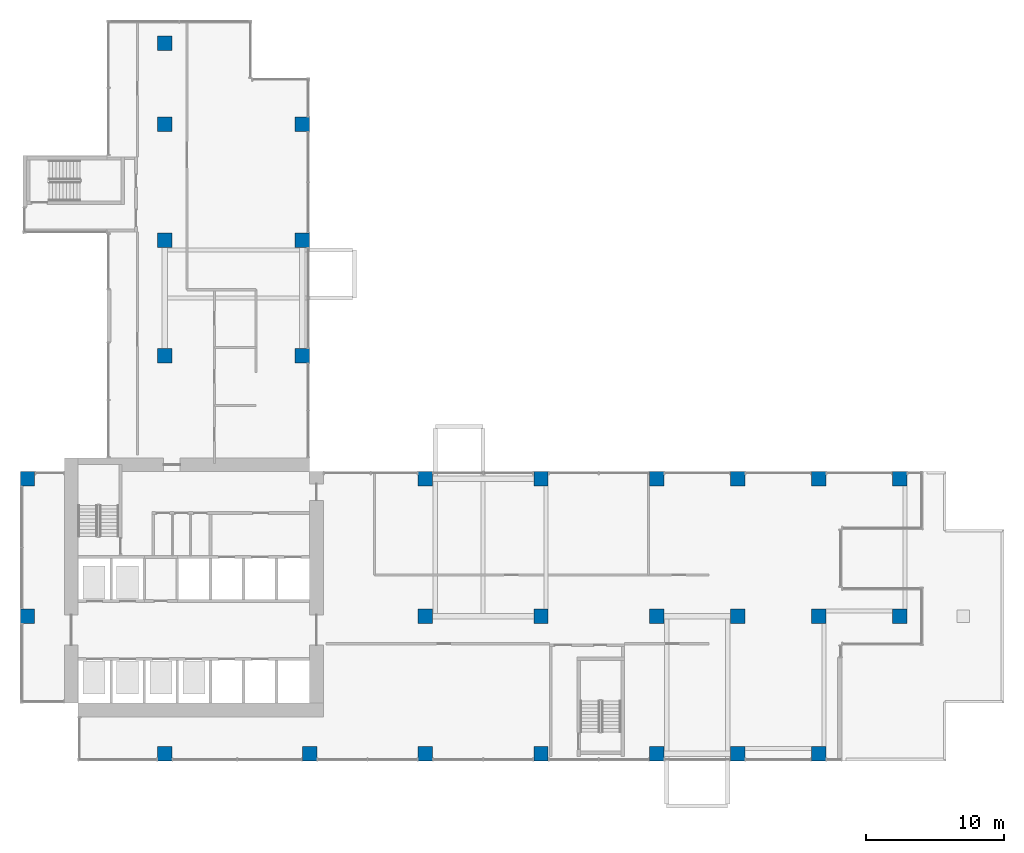
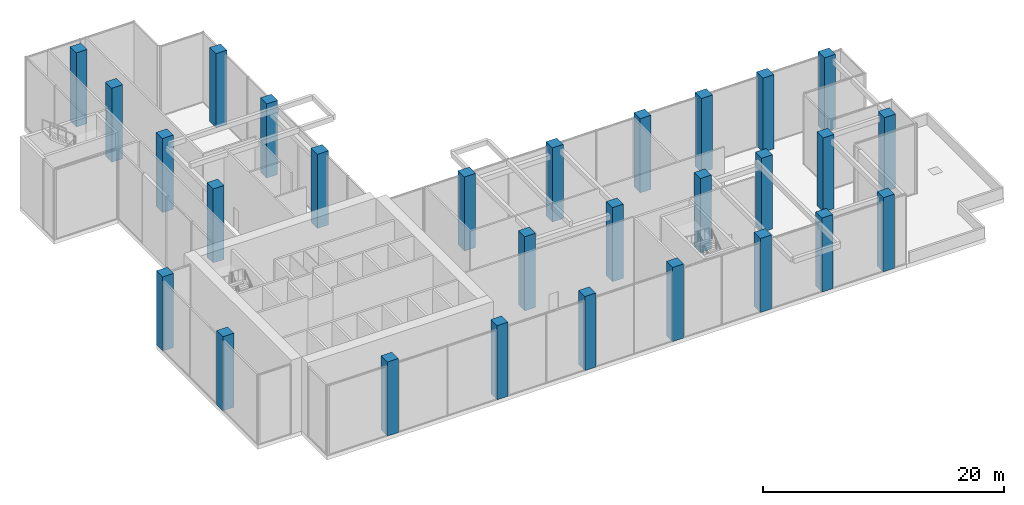
# One storey, part 1 of 18: 28 columns.
"""IFC4 building model written with IfcOpenShell, lengths in metres."""

import ifcopenshell
import ifcopenshell.guid

model = None  # the IFC model being written
_history = None  # IfcOwnerHistory: only IFC2X3 demands one
_inside = {}  # id of a spatial element -> (the spatial element, [elements in it])
_under = {}  # id of a project, library or spatial element -> (it, [spatial elements below it])
_declared = {}  # id of a project -> (the project, [libraries it declares])
_typed = {}  # id of a type object -> (the type object, [elements of that type])
_made_of = {}  # id of a material, layer set ... -> (it, [elements and type objects made of it])


def new_model(schema):
    """Start an empty IFC model of exactly this schema.

    Asked for "IFC4X3", IfcOpenShell would pick the latest addendum, in which some entities
    have other attributes; the version numbers below select the first issue.
    IFC2X3 requires an IfcOwnerHistory on every rooted entity: one is made here for all.
    """
    global model, _history
    if schema == "IFC4X3":
        model = ifcopenshell.file(schema_version=(4, 3, 0, 0))
    else:
        model = ifcopenshell.file(schema=schema)
    _inside.clear()
    _under.clear()
    _declared.clear()
    _typed.clear()
    _made_of.clear()
    _history = None
    if model.schema == "IFC2X3":
        org = make("IfcOrganization", Name="unknown")
        user = make(
            "IfcPersonAndOrganization",
            ThePerson=make("IfcPerson", FamilyName="unknown"),
            TheOrganization=org,
        )
        app = make(
            "IfcApplication",
            ApplicationDeveloper=org,
            Version="unknown",
            ApplicationFullName="unknown",
            ApplicationIdentifier="unknown",
        )
        _history = make(
            "IfcOwnerHistory",
            OwningUser=user,
            OwningApplication=app,
            ChangeAction="ADDED",
            CreationDate=0,
        )
    return model


def make(cls, **values):
    """One entity of the class cls with the attributes given. An attribute that is None is left unset."""
    return model.create_entity(
        cls, **{name: value for name, value in values.items() if value is not None}
    )


def rooted(cls, **values):
    """An entity with a GlobalId (a new one), such as an element, a storey or a relation."""
    return make(cls, GlobalId=ifcopenshell.guid.new(), OwnerHistory=_history, **values)


def si_unit(unit_type, name, prefix=None):
    """IfcSIUnit, for example si_unit("LENGTHUNIT", "METRE", prefix="MILLI")."""
    return make("IfcSIUnit", UnitType=unit_type, Prefix=prefix, Name=name)


def assignment(units):
    """IfcUnitAssignment: the units of a project."""
    return None if units is None else make("IfcUnitAssignment", Units=units)


def point(xyz):
    """IfcCartesianPoint."""
    return None if xyz is None else make("IfcCartesianPoint", Coordinates=xyz)


def direction(xyz):
    """IfcDirection."""
    return None if xyz is None else make("IfcDirection", DirectionRatios=xyz)


def frame(location, z_axis=None, x_axis=None):
    """IfcAxis2Placement3D, a coordinate frame: its origin and axes. An axis left out is left unset."""
    return make(
        "IfcAxis2Placement3D",
        Location=point(location),
        Axis=direction(z_axis),
        RefDirection=direction(x_axis),
    )


def frame_2d(location, x_axis=None):
    """IfcAxis2Placement2D, a coordinate frame in the plane: its origin and x axis."""
    return make(
        "IfcAxis2Placement2D", Location=point(location), RefDirection=direction(x_axis)
    )


def origin():
    """The frame at (0, 0, 0) with its axes left unset."""
    return frame((0.0, 0.0, 0.0))


def origin_2d():
    """The frame at (0, 0) in the plane with its x axis left unset."""
    return frame_2d((0.0, 0.0))


def place(relative_to, where):
    """IfcLocalPlacement: puts the frame where relative to a parent placement (None: the world)."""
    return make(
        "IfcLocalPlacement", PlacementRelTo=relative_to, RelativePlacement=where
    )


def context(
    kind, dimensions, precision=None, world=None, true_north=None, identifier=None
):
    """IfcGeometricRepresentationContext, for example the 3D "Model" context."""
    return make(
        "IfcGeometricRepresentationContext",
        ContextIdentifier=identifier,
        ContextType=kind,
        CoordinateSpaceDimension=dimensions,
        Precision=precision,
        WorldCoordinateSystem=world,
        TrueNorth=true_north,
    )


def subcontext(parent, identifier, kind, view, scale=None):
    """IfcGeometricRepresentationSubContext, for example "Body" below "Model"."""
    return make(
        "IfcGeometricRepresentationSubContext",
        ContextIdentifier=identifier,
        ContextType=kind,
        ParentContext=parent,
        TargetScale=scale,
        TargetView=view,
    )


def project(units=None, contexts=None):
    """IfcProject with its units and contexts."""
    return rooted(
        "IfcProject",
        Name="project",
        RepresentationContexts=contexts,
        UnitsInContext=assignment(units),
    )


def spatial(cls, under=None, at=None, **own):
    """A site, building, storey or space (cls), placed at a placement, below another one or the project."""
    s = rooted(cls, ObjectPlacement=at, **own)
    if under is not None:
        _under.setdefault(under.id(), (under, []))[1].append(s)
    return s


def profile(cls, at=None, kind="AREA", **sizes):
    """A parametric profile (cls). Its sizes go by their IFC names, for example OverallWidth=200.0."""
    return make(cls, ProfileType=kind, Position=at, **sizes)


def rectangle(**sizes):
    """IfcRectangleProfileDef."""
    return profile("IfcRectangleProfileDef", **sizes)


def extrude(swept, where, along, depth):
    """IfcExtrudedAreaSolid: the profile swept, set in the frame where, extruded along a direction by depth."""
    return make(
        "IfcExtrudedAreaSolid",
        SweptArea=swept,
        Position=where,
        ExtrudedDirection=direction(along),
        Depth=depth,
    )


def shape(context_of_items, identifier, shape_type, items):
    """IfcShapeRepresentation: the items that make up one representation, for example the "Body"."""
    return make(
        "IfcShapeRepresentation",
        ContextOfItems=context_of_items,
        RepresentationIdentifier=identifier,
        RepresentationType=shape_type,
        Items=items,
    )


def source(mapping_origin, context_of_items, identifier, shape_type, items):
    """IfcRepresentationMap: a shape defined once, which mapped items show again and again."""
    return make(
        "IfcRepresentationMap",
        MappingOrigin=mapping_origin,
        MappedRepresentation=shape(context_of_items, identifier, shape_type, items),
    )


def transform(
    local_origin,
    x_axis=None,
    y_axis=None,
    z_axis=None,
    scale=None,
    scale2=None,
    scale3=None,
    uniform=True,
):
    """IfcCartesianTransformationOperator3D, or its non-uniform kind. x_axis, y_axis, z_axis: its Axis1, 2, 3."""
    if uniform:
        return make(
            "IfcCartesianTransformationOperator3D",
            Axis1=direction(x_axis),
            Axis2=direction(y_axis),
            LocalOrigin=point(local_origin),
            Scale=scale,
            Axis3=direction(z_axis),
        )
    return make(
        "IfcCartesianTransformationOperator3DnonUniform",
        Axis1=direction(x_axis),
        Axis2=direction(y_axis),
        LocalOrigin=point(local_origin),
        Scale=scale,
        Axis3=direction(z_axis),
        Scale2=scale2,
        Scale3=scale3,
    )


def mapped(mapping_source, mapping_target):
    """IfcMappedItem: shows the shape of a source again, moved by a transform."""
    return make(
        "IfcMappedItem", MappingSource=mapping_source, MappingTarget=mapping_target
    )


def material(Name=None, Category=None):
    """IfcMaterial."""
    return make("IfcMaterial", Name=Name, Category=Category)


def material_profile(
    of_material, cross_section, Name=None, Category=None, Priority=None
):
    """IfcMaterialProfile: a cross section and its material."""
    return make(
        "IfcMaterialProfile",
        Name=Name,
        Material=of_material,
        Profile=cross_section,
        Priority=Priority,
        Category=Category,
    )


def profile_set(profiles, Name=None, composite=None):
    """IfcMaterialProfileSet."""
    return make(
        "IfcMaterialProfileSet",
        Name=Name,
        MaterialProfiles=profiles,
        CompositeProfile=composite,
    )


def made_of(thing, what):
    """Note that an element or type object is made of a material, layer set ...; save() writes the relation."""
    if what is not None:
        _made_of.setdefault(what.id(), (what, []))[1].append(thing)
    return thing


def type_object(cls, material=None, **own):
    """A type object (cls), such as IfcWallType, which elements share."""
    return made_of(rooted(cls, **own), material)


def element(
    cls,
    number,
    at=None,
    inside=None,
    cuts=None,
    type_object=None,
    material=None,
    context=None,
    identifier="Body",
    shape_type=None,
    held_by="IfcProductDefinitionShape",
    body=None,
    shapes=None,
    **own,
):
    """One element of the class cls, such as IfcWall. Its Tag is "e" and its number.

    at: its placement. inside: the storey or other place that contains it. cuts: it is an
    opening in that element (IfcRelVoidsElement). A single representation is given by context,
    identifier, shape_type and body (its items); several are given by shapes. held_by: the class
    of the entity that holds the representations. save() writes the other relations.
    """
    e = rooted(cls, Tag="e%d" % number, ObjectPlacement=at, **own)
    if body is not None:
        shapes = [shape(context, identifier, shape_type, body)]
    if shapes is not None:
        e.Representation = make(held_by, Representations=shapes)
    if inside is not None:
        _inside.setdefault(inside.id(), (inside, []))[1].append(e)
    if cuts is not None:
        rooted(
            "IfcRelVoidsElement", RelatingBuildingElement=cuts, RelatedOpeningElement=e
        )
    if type_object is not None:
        _typed.setdefault(type_object.id(), (type_object, []))[1].append(e)
    return made_of(e, material)


def aggregate(whole, parts):
    """IfcRelAggregates: a whole, such as a stair, and the parts it consists of."""
    return rooted("IfcRelAggregates", RelatingObject=whole, RelatedObjects=parts)


def save(model, path):
    """Write the relations noted so far, then the file.

    IfcRelAggregates (storeys below a building ...), IfcRelContainedInSpatialStructure (elements
    in a storey), IfcRelDefinesByType, IfcRelAssociatesMaterial and IfcRelDeclares: one each for
    every whole, place, type object, material and project.
    """
    for whole, parts in _under.values():
        aggregate(whole, parts)
    for where, things in _inside.values():
        rooted(
            "IfcRelContainedInSpatialStructure",
            RelatedElements=things,
            RelatingStructure=where,
        )
    for kind, things in _typed.values():
        rooted("IfcRelDefinesByType", RelatedObjects=things, RelatingType=kind)
    for what, things in _made_of.values():
        rooted("IfcRelAssociatesMaterial", RelatedObjects=things, RelatingMaterial=what)
    for by, libraries in _declared.values():
        rooted("IfcRelDeclares", RelatingContext=by, RelatedDefinitions=libraries)
    model.write(path)


model = new_model("IFC4")

# Units and contexts
model_context = context("Model", 3, precision=1e-05, world=origin(), true_north=direction((0.0, 1.0)))
body_context = subcontext(model_context, "Body", "Model", "MODEL_VIEW")
ifc_project = project(units=[si_unit("LENGTHUNIT", "METRE"), si_unit("AREAUNIT", "SQUARE_METRE"), si_unit("VOLUMEUNIT", "CUBIC_METRE"), si_unit("PLANEANGLEUNIT", "RADIAN"), si_unit("MASSUNIT", "GRAM", prefix="KILO")], contexts=[model_context])

# Site, building, storey
site_placement = place(None, origin())
site = spatial("IfcSite", under=ifc_project, at=site_placement, CompositionType="ELEMENT")
building_placement = place(site_placement, origin())
building = spatial("IfcBuilding", under=site, at=building_placement, Name="Aurelian Terraces", CompositionType="ELEMENT")
storey_placement = place(building_placement, frame((0.0, 0.0, 170.3)))
storey = spatial("IfcBuildingStorey", under=building, at=storey_placement, Name="L37", CompositionType="ELEMENT", Elevation=170.3)

# Columns
ifc_material = material(Name="Concrete fc' 83 MPa", Category="concrete")
ifc_material_profile = material_profile(ifc_material, rectangle(XDim=1.05, YDim=1.05, at=origin_2d()))
ifc_profile_set = profile_set([ifc_material_profile], Name="Concrete fc' 83 MPa")
column_type = type_object("IfcColumnType", Name="RC COLUMN 1050X1050 FC83", PredefinedType="COLUMN", material=ifc_profile_set)
column_placement = place(storey_placement, frame((10.5, 0.525, 0.0), z_axis=(0.0, 0.0, 1.0), x_axis=(1.0, 0.0, 0.0)))
element("IfcColumn", 1, at=column_placement, inside=storey, type_object=column_type, Name="Column 2/A L37", PredefinedType="COLUMN", context=body_context, shape_type="SweptSolid", body=[
    extrude(rectangle(XDim=1.05, YDim=1.05, at=origin_2d()), origin(), (0.0, 0.0, 1.0), 7.5),
])
shared_shape = source(origin(), body_context, "Body", "SweptSolid", [
    extrude(rectangle(XDim=1.05, YDim=1.05, at=origin_2d()), origin(), (0.0, 0.0, 1.0), 7.5),
])
for number, where, z_axis, x_axis, name in (
    (2, (21.0, 0.525, 0.0), (0.0, 0.0, 1.0), (1.0, 0.0, 0.0), "Column 3/A L37"),
    (3, (29.4, 0.525, 0.0), (0.0, 0.0, 1.0), (1.0, 0.0, 0.0), "Column 4/A L37"),
    (4, (37.8, 0.525, 0.0), (0.0, 0.0, 1.0), (1.0, 0.0, 0.0), "Column 5/A L37"),
    (5, (46.2, 0.525, 0.0), (0.0, 0.0, 1.0), (1.0, 0.0, 0.0), "Column 6/A L37"),
    (6, (52.08, 0.525, 0.0), (0.0, 0.0, 1.0), (1.0, 0.0, 0.0), "Column 7/A L37"),
    (7, (57.96, 0.525, 0.0), (0.0, 0.0, 1.0), (1.0, 0.0, 0.0), "Column 8/A L37"),
    (8, (0.525, 10.5, 0.0), (0.0, 0.0, 1.0), (1.0, 0.0, 0.0), "Column 1/B L37"),
    (9, (29.4, 10.5, 0.0), (0.0, 0.0, 1.0), (1.0, 0.0, 0.0), "Column 4/B L37"),
    (10, (37.8, 10.5, 0.0), (0.0, 0.0, 1.0), (1.0, 0.0, 0.0), "Column 5/B L37"),
    (11, (46.2, 10.5, 0.0), (0.0, 0.0, 1.0), (1.0, 0.0, 0.0), "Column 6/B L37"),
    (12, (52.08, 10.5, 0.0), (0.0, 0.0, 1.0), (1.0, 0.0, 0.0), "Column 7/B L37"),
    (13, (57.96, 10.5, 0.0), (0.0, 0.0, 1.0), (1.0, 0.0, 0.0), "Column 8/B L37"),
    (14, (63.84, 10.5, 0.0), (0.0, 0.0, 1.0), (1.0, 0.0, 0.0), "Column 9/B L37"),
    (15, (0.525, 20.475, 0.0), (0.0, 0.0, 1.0), (1.0, 0.0, 0.0), "Column 1/C L37"),
    (16, (29.4, 20.475, 0.0), (0.0, 0.0, 1.0), (1.0, 0.0, 0.0), "Column 4/C L37"),
    (17, (37.8, 20.475, 0.0), (0.0, 0.0, 1.0), (1.0, 0.0, 0.0), "Column 5/C L37"),
    (18, (46.2, 20.475, 0.0), (0.0, 0.0, 1.0), (1.0, 0.0, 0.0), "Column 6/C L37"),
    (19, (52.08, 20.475, 0.0), (0.0, 0.0, 1.0), (1.0, 0.0, 0.0), "Column 7/C L37"),
    (20, (57.96, 20.475, 0.0), (0.0, 0.0, 1.0), (1.0, 0.0, 0.0), "Column 8/C L37"),
    (21, (63.84, 20.475, 0.0), (0.0, 0.0, 1.0), (1.0, 0.0, 0.0), "Column 9/C L37"),
    (22, (10.5, 29.4, 0.0), (0.0, 0.0, 1.0), (1.0, 0.0, 0.0), "Column 2/D L37"),
    (23, (20.475, 29.4, 0.0), (0.0, 0.0, 1.0), (1.0, 0.0, 0.0), "Column 3/D L37"),
    (24, (10.5, 37.8, 0.0), (0.0, 0.0, 1.0), (1.0, 0.0, 0.0), "Column 2/E L37"),
    (25, (20.475, 37.8, 0.0), (0.0, 0.0, 1.0), (1.0, 0.0, 0.0), "Column 3/E L37"),
    (26, (10.5, 46.2, 0.0), (0.0, 0.0, 1.0), (1.0, 0.0, 0.0), "Column 2/F L37"),
    (27, (20.475, 46.2, 0.0), (0.0, 0.0, 1.0), (1.0, 0.0, 0.0), "Column 3/F L37"),
    (28, (10.5, 52.08, 0.0), (0.0, 0.0, 1.0), (1.0, 0.0, 0.0), "Column 2/G L37"),
):
    element("IfcColumn", number, at=place(storey_placement, frame(where, z_axis=z_axis, x_axis=x_axis)), inside=storey, type_object=column_type, Name=name, PredefinedType="COLUMN", context=body_context, shape_type="MappedRepresentation", body=[
        mapped(shared_shape, transform((0.0, 0.0, 0.0), scale=1.0)),
    ])

save(model, "model.ifc")
